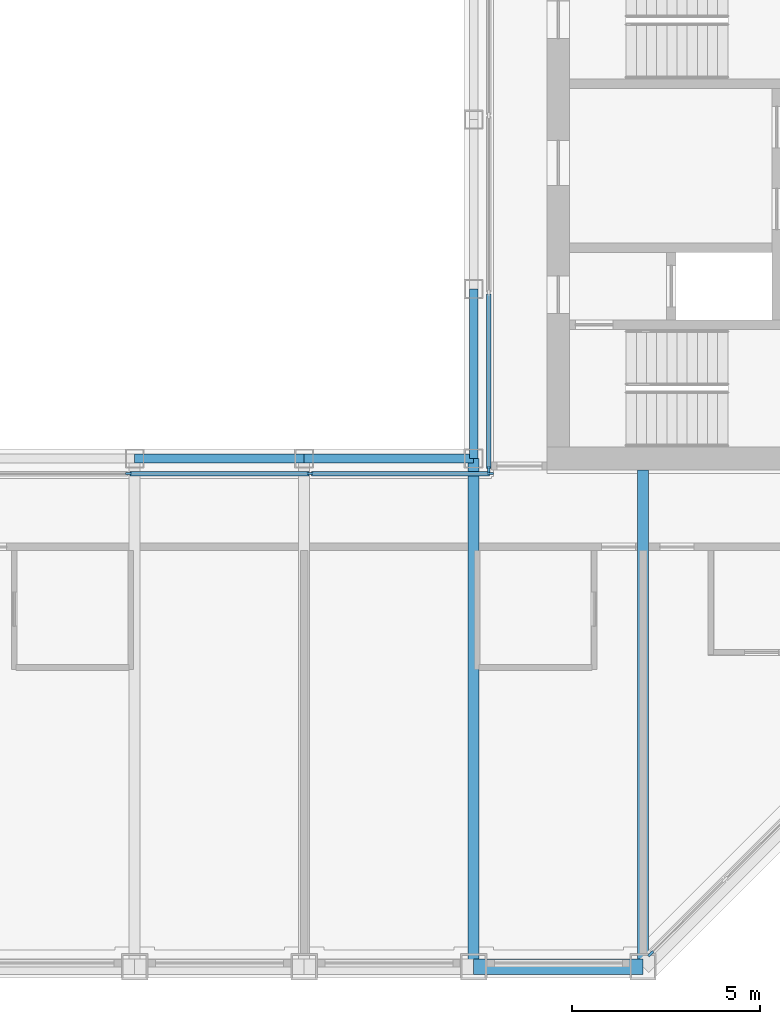
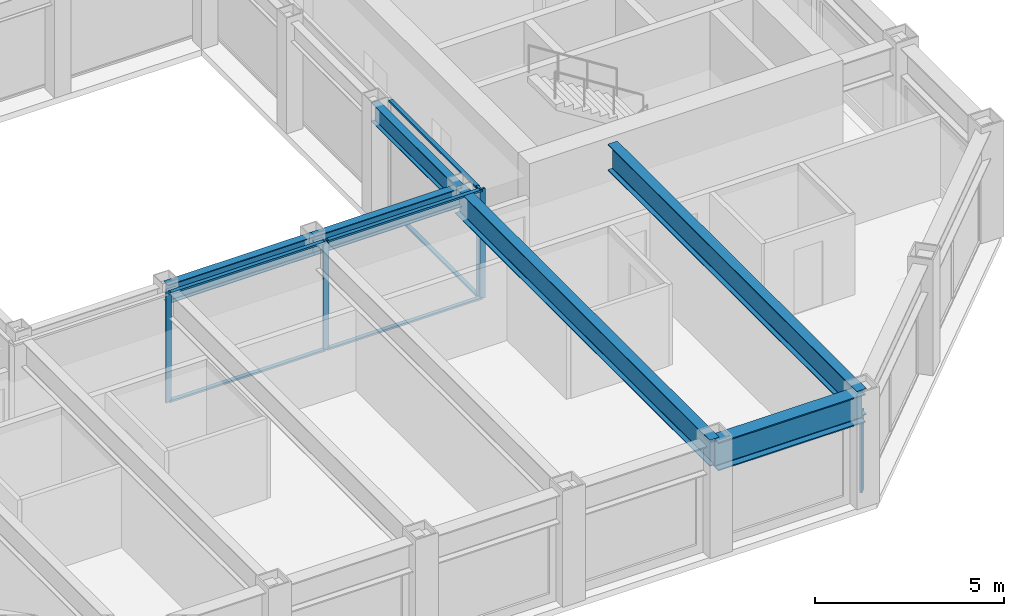
# One storey, part 3 of 16: 11 members, 6 beams, 3 elements without a shape of their own.
"""IFC4 building model written with IfcOpenShell, lengths in metres."""

import ifcopenshell
import ifcopenshell.guid

model = None  # the IFC model being written
_history = None  # IfcOwnerHistory: only IFC2X3 demands one
_inside = {}  # id of a spatial element -> (the spatial element, [elements in it])
_under = {}  # id of a project, library or spatial element -> (it, [spatial elements below it])
_declared = {}  # id of a project -> (the project, [libraries it declares])
_typed = {}  # id of a type object -> (the type object, [elements of that type])
_made_of = {}  # id of a material, layer set ... -> (it, [elements and type objects made of it])


def new_model(schema):
    """Start an empty IFC model of exactly this schema.

    Asked for "IFC4X3", IfcOpenShell would pick the latest addendum, in which some entities
    have other attributes; the version numbers below select the first issue.
    IFC2X3 requires an IfcOwnerHistory on every rooted entity: one is made here for all.
    """
    global model, _history
    if schema == "IFC4X3":
        model = ifcopenshell.file(schema_version=(4, 3, 0, 0))
    else:
        model = ifcopenshell.file(schema=schema)
    _inside.clear()
    _under.clear()
    _declared.clear()
    _typed.clear()
    _made_of.clear()
    _history = None
    if model.schema == "IFC2X3":
        org = make("IfcOrganization", Name="unknown")
        user = make(
            "IfcPersonAndOrganization",
            ThePerson=make("IfcPerson", FamilyName="unknown"),
            TheOrganization=org,
        )
        app = make(
            "IfcApplication",
            ApplicationDeveloper=org,
            Version="unknown",
            ApplicationFullName="unknown",
            ApplicationIdentifier="unknown",
        )
        _history = make(
            "IfcOwnerHistory",
            OwningUser=user,
            OwningApplication=app,
            ChangeAction="ADDED",
            CreationDate=0,
        )
    return model


def make(cls, **values):
    """One entity of the class cls with the attributes given. An attribute that is None is left unset."""
    return model.create_entity(
        cls, **{name: value for name, value in values.items() if value is not None}
    )


def rooted(cls, **values):
    """An entity with a GlobalId (a new one), such as an element, a storey or a relation."""
    return make(cls, GlobalId=ifcopenshell.guid.new(), OwnerHistory=_history, **values)


def si_unit(unit_type, name, prefix=None):
    """IfcSIUnit, for example si_unit("LENGTHUNIT", "METRE", prefix="MILLI")."""
    return make("IfcSIUnit", UnitType=unit_type, Prefix=prefix, Name=name)


def assignment(units):
    """IfcUnitAssignment: the units of a project."""
    return None if units is None else make("IfcUnitAssignment", Units=units)


def point(xyz):
    """IfcCartesianPoint."""
    return None if xyz is None else make("IfcCartesianPoint", Coordinates=xyz)


def direction(xyz):
    """IfcDirection."""
    return None if xyz is None else make("IfcDirection", DirectionRatios=xyz)


def frame(location, z_axis=None, x_axis=None):
    """IfcAxis2Placement3D, a coordinate frame: its origin and axes. An axis left out is left unset."""
    return make(
        "IfcAxis2Placement3D",
        Location=point(location),
        Axis=direction(z_axis),
        RefDirection=direction(x_axis),
    )


def frame_2d(location, x_axis=None):
    """IfcAxis2Placement2D, a coordinate frame in the plane: its origin and x axis."""
    return make(
        "IfcAxis2Placement2D", Location=point(location), RefDirection=direction(x_axis)
    )


def origin():
    """The frame at (0, 0, 0) with its axes left unset."""
    return frame((0.0, 0.0, 0.0))


def origin_2d():
    """The frame at (0, 0) in the plane with its x axis left unset."""
    return frame_2d((0.0, 0.0))


def place(relative_to, where):
    """IfcLocalPlacement: puts the frame where relative to a parent placement (None: the world)."""
    return make(
        "IfcLocalPlacement", PlacementRelTo=relative_to, RelativePlacement=where
    )


def context(
    kind, dimensions, precision=None, world=None, true_north=None, identifier=None
):
    """IfcGeometricRepresentationContext, for example the 3D "Model" context."""
    return make(
        "IfcGeometricRepresentationContext",
        ContextIdentifier=identifier,
        ContextType=kind,
        CoordinateSpaceDimension=dimensions,
        Precision=precision,
        WorldCoordinateSystem=world,
        TrueNorth=true_north,
    )


def subcontext(parent, identifier, kind, view, scale=None):
    """IfcGeometricRepresentationSubContext, for example "Body" below "Model"."""
    return make(
        "IfcGeometricRepresentationSubContext",
        ContextIdentifier=identifier,
        ContextType=kind,
        ParentContext=parent,
        TargetScale=scale,
        TargetView=view,
    )


def project(units=None, contexts=None):
    """IfcProject with its units and contexts."""
    return rooted(
        "IfcProject",
        Name="project",
        RepresentationContexts=contexts,
        UnitsInContext=assignment(units),
    )


def spatial(cls, under=None, at=None, **own):
    """A site, building, storey or space (cls), placed at a placement, below another one or the project."""
    s = rooted(cls, ObjectPlacement=at, **own)
    if under is not None:
        _under.setdefault(under.id(), (under, []))[1].append(s)
    return s


def profile(cls, at=None, kind="AREA", **sizes):
    """A parametric profile (cls). Its sizes go by their IFC names, for example OverallWidth=200.0."""
    return make(cls, ProfileType=kind, Position=at, **sizes)


def rectangle(**sizes):
    """IfcRectangleProfileDef."""
    return profile("IfcRectangleProfileDef", **sizes)


def i_section(**sizes):
    """IfcIShapeProfileDef."""
    return profile("IfcIShapeProfileDef", **sizes)


def extrude(swept, where, along, depth):
    """IfcExtrudedAreaSolid: the profile swept, set in the frame where, extruded along a direction by depth."""
    return make(
        "IfcExtrudedAreaSolid",
        SweptArea=swept,
        Position=where,
        ExtrudedDirection=direction(along),
        Depth=depth,
    )


def shape(context_of_items, identifier, shape_type, items):
    """IfcShapeRepresentation: the items that make up one representation, for example the "Body"."""
    return make(
        "IfcShapeRepresentation",
        ContextOfItems=context_of_items,
        RepresentationIdentifier=identifier,
        RepresentationType=shape_type,
        Items=items,
    )


def material(Name=None, Category=None):
    """IfcMaterial."""
    return make("IfcMaterial", Name=Name, Category=Category)


def material_profile(
    of_material, cross_section, Name=None, Category=None, Priority=None
):
    """IfcMaterialProfile: a cross section and its material."""
    return make(
        "IfcMaterialProfile",
        Name=Name,
        Material=of_material,
        Profile=cross_section,
        Priority=Priority,
        Category=Category,
    )


def profile_set(profiles, Name=None, composite=None):
    """IfcMaterialProfileSet."""
    return make(
        "IfcMaterialProfileSet",
        Name=Name,
        MaterialProfiles=profiles,
        CompositeProfile=composite,
    )


def made_of(thing, what):
    """Note that an element or type object is made of a material, layer set ...; save() writes the relation."""
    if what is not None:
        _made_of.setdefault(what.id(), (what, []))[1].append(thing)
    return thing


def type_object(cls, material=None, **own):
    """A type object (cls), such as IfcWallType, which elements share."""
    return made_of(rooted(cls, **own), material)


def element(
    cls,
    number,
    at=None,
    inside=None,
    cuts=None,
    type_object=None,
    material=None,
    context=None,
    identifier="Body",
    shape_type=None,
    held_by="IfcProductDefinitionShape",
    body=None,
    shapes=None,
    **own,
):
    """One element of the class cls, such as IfcWall. Its Tag is "e" and its number.

    at: its placement. inside: the storey or other place that contains it. cuts: it is an
    opening in that element (IfcRelVoidsElement). A single representation is given by context,
    identifier, shape_type and body (its items); several are given by shapes. held_by: the class
    of the entity that holds the representations. save() writes the other relations.
    """
    e = rooted(cls, Tag="e%d" % number, ObjectPlacement=at, **own)
    if body is not None:
        shapes = [shape(context, identifier, shape_type, body)]
    if shapes is not None:
        e.Representation = make(held_by, Representations=shapes)
    if inside is not None:
        _inside.setdefault(inside.id(), (inside, []))[1].append(e)
    if cuts is not None:
        rooted(
            "IfcRelVoidsElement", RelatingBuildingElement=cuts, RelatedOpeningElement=e
        )
    if type_object is not None:
        _typed.setdefault(type_object.id(), (type_object, []))[1].append(e)
    return made_of(e, material)


def aggregate(whole, parts):
    """IfcRelAggregates: a whole, such as a stair, and the parts it consists of."""
    return rooted("IfcRelAggregates", RelatingObject=whole, RelatedObjects=parts)


def save(model, path):
    """Write the relations noted so far, then the file.

    IfcRelAggregates (storeys below a building ...), IfcRelContainedInSpatialStructure (elements
    in a storey), IfcRelDefinesByType, IfcRelAssociatesMaterial and IfcRelDeclares: one each for
    every whole, place, type object, material and project.
    """
    for whole, parts in _under.values():
        aggregate(whole, parts)
    for where, things in _inside.values():
        rooted(
            "IfcRelContainedInSpatialStructure",
            RelatedElements=things,
            RelatingStructure=where,
        )
    for kind, things in _typed.values():
        rooted("IfcRelDefinesByType", RelatedObjects=things, RelatingType=kind)
    for what, things in _made_of.values():
        rooted("IfcRelAssociatesMaterial", RelatedObjects=things, RelatingMaterial=what)
    for by, libraries in _declared.values():
        rooted("IfcRelDeclares", RelatingContext=by, RelatedDefinitions=libraries)
    model.write(path)


model = new_model("IFC4")

# Units and contexts
model_context = context("Model", 3, precision=1e-05, world=origin(), true_north=direction((0.0, 1.0)))
body_context = subcontext(model_context, "Body", "Model", "MODEL_VIEW")
ifc_project = project(units=[si_unit("LENGTHUNIT", "METRE"), si_unit("AREAUNIT", "SQUARE_METRE"), si_unit("VOLUMEUNIT", "CUBIC_METRE"), si_unit("PLANEANGLEUNIT", "RADIAN"), si_unit("MASSUNIT", "GRAM", prefix="KILO")], contexts=[model_context])

# Site, building, storey
site_placement = place(None, origin())
site = spatial("IfcSite", under=ifc_project, at=site_placement, CompositionType="ELEMENT")
building_placement = place(site_placement, origin())
building = spatial("IfcBuilding", under=site, at=building_placement, Name="Msasa Ring Tower", CompositionType="ELEMENT")
storey_placement = place(building_placement, frame((0.0, 0.0, 215.800048828125)))
storey = spatial("IfcBuildingStorey", under=building, at=storey_placement, Name="L56", CompositionType="ELEMENT", Elevation=215.800048828125)

# Curtain wall, member
ifc_material_1 = material(Name="Aluminium curtain wall with clear glass", Category="aluminium")
curtain_wall_type_1 = type_object("IfcCurtainWallType", Name="CW-C CHAMFER CORNER CURTAIN WALL", PredefinedType="NOTDEFINED", material=ifc_material_1)
curtain_wall_1_placement = place(storey_placement, origin())
curtain_wall_1 = element("IfcCurtainWall", 1, at=curtain_wall_1_placement, inside=storey, type_object=curtain_wall_type_1, Name="Chamfer corner curtain wall SE L56", PredefinedType="NOTDEFINED")
ifc_material_2 = material(Name="Aluminium mullion", Category="aluminium")
ifc_material_profile_1 = material_profile(ifc_material_2, rectangle(XDim=0.06494140625, YDim=0.179931640625, at=origin_2d()), Name="AL 65x180")
ifc_profile_set_1 = profile_set([ifc_material_profile_1], Name="Aluminium mullion")
member_type_1 = type_object("IfcMemberType", Name="CW-C MULLION 65x180", PredefinedType="MULLION", material=ifc_profile_set_1)
member_1_placement = place(storey_placement, frame((11.453369140625, -19.9052734375, 0.0), z_axis=(0.0, 0.0, 1.0), x_axis=(-0.707106781187, 0.707106781187, 0.0)))
member_1 = element("IfcMember", 2, at=member_1_placement, type_object=member_type_1, Name="CW-C mullion 1", PredefinedType="MULLION", context=body_context, shape_type="SweptSolid", body=[
    extrude(rectangle(XDim=0.06494140625, YDim=0.179931640625, at=origin_2d()), origin(), (0.0, 0.0, 1.0), 2.62890625),
])
aggregate(curtain_wall_1, [member_1])

# Curtain wall, members
ifc_material_3 = material(Name="Aluminium curtain wall with clear glass", Category="aluminium")
curtain_wall_type_2 = type_object("IfcCurtainWallType", Name="CW-W LIGHT WELL CURTAIN WALL", PredefinedType="NOTDEFINED", material=ifc_material_3)
curtain_wall_2_placement = place(storey_placement, origin())
curtain_wall_2 = element("IfcCurtainWall", 3, at=curtain_wall_2_placement, inside=storey, type_object=curtain_wall_type_2, Name="Light well curtain wall S L56", PredefinedType="NOTDEFINED")
ifc_material_4 = material(Name="Aluminium mullion", Category="aluminium")
ifc_material_profile_2 = material_profile(ifc_material_4, rectangle(XDim=0.06005859375, YDim=0.159912109375, at=origin_2d()), Name="AL 60x160")
ifc_profile_set_2 = profile_set([ifc_material_profile_2], Name="Aluminium mullion")
member_type_2 = type_object("IfcMemberType", Name="CW-W MULLION 60x160", PredefinedType="MULLION", material=ifc_profile_set_2)
member_2_placement = place(storey_placement, frame((-2.409912109375, -7.14990234375, 0.0), z_axis=(0.0, 0.0, 1.0), x_axis=(0.0, 1.0, 0.0)))
member_2 = element("IfcMember", 4, at=member_2_placement, type_object=member_type_2, Name="CW-W mullion 2", PredefinedType="MULLION", context=body_context, shape_type="SweptSolid", body=[
    extrude(rectangle(XDim=0.06005859375, YDim=0.159912109375, at=origin_2d()), origin(), (0.0, 0.0, 1.0), 3.550048828125),
])
member_3_placement = place(storey_placement, frame((2.409912109375, -7.14990234375, 0.0), z_axis=(0.0, 0.0, 1.0), x_axis=(0.0, 1.0, 0.0)))
member_3 = element("IfcMember", 5, at=member_3_placement, type_object=member_type_2, Name="CW-W mullion 3", PredefinedType="MULLION", context=body_context, shape_type="SweptSolid", body=[
    extrude(rectangle(XDim=0.06005859375, YDim=0.159912109375, at=origin_2d()), origin(), (0.0, 0.0, 1.0), 3.550048828125),
])
member_4_placement = place(storey_placement, frame((7.199951171875, -7.14990234375, 0.0), z_axis=(0.0, 0.0, 1.0), x_axis=(0.0, 1.0, 0.0)))
member_4 = element("IfcMember", 6, at=member_4_placement, type_object=member_type_2, Name="CW-W mullion 4", PredefinedType="MULLION", context=body_context, shape_type="SweptSolid", body=[
    extrude(rectangle(XDim=0.06005859375, YDim=0.159912109375, at=origin_2d()), origin(), (0.0, 0.0, 1.0), 3.550048828125),
])

# Curtain wall, member
curtain_wall_3_placement = place(storey_placement, origin())
curtain_wall_3 = element("IfcCurtainWall", 7, at=curtain_wall_3_placement, inside=storey, type_object=curtain_wall_type_2, Name="Light well curtain wall E L56", PredefinedType="NOTDEFINED")
member_5_placement = place(storey_placement, frame((7.14990234375, -7.0400390625, 0.0), z_axis=(0.0, 0.0, 1.0), x_axis=(-1.0, 0.0, 0.0)))
member_5 = element("IfcMember", 8, at=member_5_placement, type_object=member_type_2, Name="CW-W mullion 1", PredefinedType="MULLION", context=body_context, shape_type="SweptSolid", body=[
    extrude(rectangle(XDim=0.06005859375, YDim=0.159912109375, at=origin_2d()), origin(), (0.0, 0.0, 1.0), 3.550048828125),
])

# Member
ifc_material_5 = material(Name="Aluminium transom", Category="aluminium")
ifc_material_profile_3 = material_profile(ifc_material_5, rectangle(XDim=0.1201171875, YDim=0.06005859375, at=origin_2d()), Name="AL 60x120")
ifc_profile_set_3 = profile_set([ifc_material_profile_3], Name="Aluminium transom")
member_type_3 = type_object("IfcMemberType", Name="CW-W TRANSOM 60x120", PredefinedType="USERDEFINED", material=ifc_profile_set_3)
member_6_placement = place(storey_placement, frame((-2.3798828125, -7.14990234375, 0.030029296875), z_axis=(1.0, 0.0, 0.0), x_axis=(0.0, 1.0, 0.0)))
member_6 = element("IfcMember", 9, at=member_6_placement, type_object=member_type_3, Name="CW-W transom 2.1", ObjectType="TRANSOM", PredefinedType="USERDEFINED", context=body_context, shape_type="SweptSolid", body=[
    extrude(rectangle(XDim=0.1201171875, YDim=0.06005859375, at=origin_2d()), origin(), (0.0, 0.0, 1.0), 4.759765625),
])

member_7_placement = place(storey_placement, frame((-2.3798828125, -7.14990234375, 3.52001953125), z_axis=(1.0, 0.0, 0.0), x_axis=(0.0, 1.0, 0.0)))
member_7 = element("IfcMember", 10, at=member_7_placement, type_object=member_type_3, Name="CW-W transom 2.2", ObjectType="TRANSOM", PredefinedType="USERDEFINED", context=body_context, shape_type="SweptSolid", body=[
    extrude(rectangle(XDim=0.1201171875, YDim=0.06005859375, at=origin_2d()), origin(), (0.0, 0.0, 1.0), 4.759765625),
])

member_8_placement = place(storey_placement, frame((2.43994140625, -7.14990234375, 0.030029296875), z_axis=(1.0, 0.0, 0.0), x_axis=(0.0, 1.0, 0.0)))
member_8 = element("IfcMember", 11, at=member_8_placement, type_object=member_type_3, Name="CW-W transom 3.1", ObjectType="TRANSOM", PredefinedType="USERDEFINED", context=body_context, shape_type="SweptSolid", body=[
    extrude(rectangle(XDim=0.1201171875, YDim=0.06005859375, at=origin_2d()), origin(), (0.0, 0.0, 1.0), 4.72998046875),
])

member_9_placement = place(storey_placement, frame((2.43994140625, -7.14990234375, 3.52001953125), z_axis=(1.0, 0.0, 0.0), x_axis=(0.0, 1.0, 0.0)))
member_9 = element("IfcMember", 12, at=member_9_placement, type_object=member_type_3, Name="CW-W transom 3.2", ObjectType="TRANSOM", PredefinedType="USERDEFINED", context=body_context, shape_type="SweptSolid", body=[
    extrude(rectangle(XDim=0.1201171875, YDim=0.06005859375, at=origin_2d()), origin(), (0.0, 0.0, 1.0), 4.72998046875),
])

aggregate(curtain_wall_2, [member_2, member_3, member_4, member_6, member_7, member_8, member_9])

member_10_placement = place(storey_placement, frame((7.14990234375, -7.010009765625, 0.030029296875), z_axis=(0.0, 1.0, 0.0), x_axis=(-1.0, 0.0, 0.0)))
member_10 = element("IfcMember", 13, at=member_10_placement, type_object=member_type_3, Name="CW-W transom 1.1", ObjectType="TRANSOM", PredefinedType="USERDEFINED", context=body_context, shape_type="SweptSolid", body=[
    extrude(rectangle(XDim=0.1201171875, YDim=0.06005859375, at=origin_2d()), origin(), (0.0, 0.0, 1.0), 4.623291015625),
])

member_11_placement = place(storey_placement, frame((7.14990234375, -7.010009765625, 3.52001953125), z_axis=(0.0, 1.0, 0.0), x_axis=(-1.0, 0.0, 0.0)))
member_11 = element("IfcMember", 14, at=member_11_placement, type_object=member_type_3, Name="CW-W transom 1.2", ObjectType="TRANSOM", PredefinedType="USERDEFINED", context=body_context, shape_type="SweptSolid", body=[
    extrude(rectangle(XDim=0.1201171875, YDim=0.06005859375, at=origin_2d()), origin(), (0.0, 0.0, 1.0), 4.623291015625),
])

aggregate(curtain_wall_3, [member_5, member_10, member_11])

# Beams
ifc_material_6 = material(Name="Steel S355", Category="steel")
ifc_material_profile_4 = material_profile(ifc_material_6, i_section(OverallWidth=0.293701171875, OverallDepth=0.850830078125, WebThickness=0.01611328125, FlangeThickness=0.02685546875, FilletRadius=0.017822265625, at=origin_2d()), Name="UB 838x292x226")
ifc_profile_set_4 = profile_set([ifc_material_profile_4], Name="Steel S355")
beam_type_1 = type_object("IfcBeamType", Name="FB5 UB 838x292x226", PredefinedType="BEAM", material=ifc_profile_set_4)
beam_1_placement = place(storey_placement, frame((6.75, -20.25, 3.12451171875), z_axis=(0.0, 1.0, 0.0), x_axis=(-1.0, 0.0, 0.0)))
element("IfcBeam", 15, at=beam_1_placement, inside=storey, type_object=beam_type_1, Name="Floor beam S+6.75 under L57", PredefinedType="BEAM", context=body_context, shape_type="SweptSolid", body=[
    extrude(i_section(OverallWidth=0.293701171875, OverallDepth=0.850830078125, WebThickness=0.01611328125, FlangeThickness=0.02685546875, FilletRadius=0.017822265625, at=origin_2d()), origin(), (0.0, 0.0, 1.0), 13.5),
])
beam_2_placement = place(storey_placement, frame((11.25, -20.25, 3.12451171875), z_axis=(0.0, 1.0, 0.0), x_axis=(-1.0, 0.0, 0.0)))
element("IfcBeam", 16, at=beam_2_placement, inside=storey, type_object=beam_type_1, Name="Floor beam S+11.25 under L57", PredefinedType="BEAM", context=body_context, shape_type="SweptSolid", body=[
    extrude(i_section(OverallWidth=0.293701171875, OverallDepth=0.850830078125, WebThickness=0.01611328125, FlangeThickness=0.02685546875, FilletRadius=0.017822265625, at=origin_2d()), origin(), (0.0, 0.0, 1.0), 13.199951171875),
])
ifc_material_7 = material(Name="Steel S355", Category="steel")
ifc_material_profile_5 = material_profile(ifc_material_7, i_section(OverallWidth=0.230224609375, OverallDepth=0.6171875, WebThickness=0.01318359375, FlangeThickness=0.022216796875, FilletRadius=0.0126953125, at=origin_2d()), Name="UB 610x229x140")
ifc_profile_set_5 = profile_set([ifc_material_profile_5], Name="Steel S355")
beam_type_2 = type_object("IfcBeamType", Name="RB1 UB 610x229x140", PredefinedType="BEAM", material=ifc_profile_set_5)
for number, where, z_axis, x_axis, name in (
    (17, (-2.25, -6.75, 3.241455078125), (1.0, 0.0, 0.0), (0.0, 1.0, 0.0), "Inner ring beam IR-2.25-6.75 under L57"),
    (18, (2.25, -6.75, 3.241455078125), (1.0, 0.0, 0.0), (0.0, 1.0, 0.0), "Inner ring beam IR+2.25-6.75 under L57"),
    (19, (6.75, -6.75, 3.241455078125), (0.0, 1.0, 0.0), (-1.0, 0.0, 0.0), "Inner ring beam IR+6.75-6.75 under L57"),
):
    element("IfcBeam", number, at=place(storey_placement, frame(where, z_axis=z_axis, x_axis=x_axis)), inside=storey, type_object=beam_type_2, Name=name, PredefinedType="BEAM", context=body_context, shape_type="SweptSolid", body=[
        extrude(i_section(OverallWidth=0.230224609375, OverallDepth=0.6171875, WebThickness=0.01318359375, FlangeThickness=0.022216796875, FilletRadius=0.0126953125, at=origin_2d()), origin(), (0.0, 0.0, 1.0), 4.5),
    ])
ifc_material_8 = material(Name="Steel S355", Category="steel")
ifc_material_profile_6 = material_profile(ifc_material_8, i_section(OverallWidth=0.42041015625, OverallDepth=0.9208984375, WebThickness=0.021484375, FlangeThickness=0.03662109375, FilletRadius=0.024169921875, at=origin_2d()), Name="UB 914x419x388")
ifc_profile_set_6 = profile_set([ifc_material_profile_6], Name="Steel S355")
beam_type_3 = type_object("IfcBeamType", Name="SB1 UB 914x419x388", PredefinedType="SPANDREL", material=ifc_profile_set_6)
beam_3_placement = place(storey_placement, frame((6.75, -20.25, 3.08935546875), z_axis=(1.0, 0.0, 0.0), x_axis=(0.0, 1.0, 0.0)))
element("IfcBeam", 20, at=beam_3_placement, inside=storey, type_object=beam_type_3, Name="Spandrel S+6.75 to S+11.25 under L57", PredefinedType="SPANDREL", context=body_context, shape_type="SweptSolid", body=[
    extrude(i_section(OverallWidth=0.42041015625, OverallDepth=0.9208984375, WebThickness=0.021484375, FlangeThickness=0.03662109375, FilletRadius=0.024169921875, at=origin_2d()), origin(), (0.0, 0.0, 1.0), 4.5),
])

save(model, "model.ifc")
